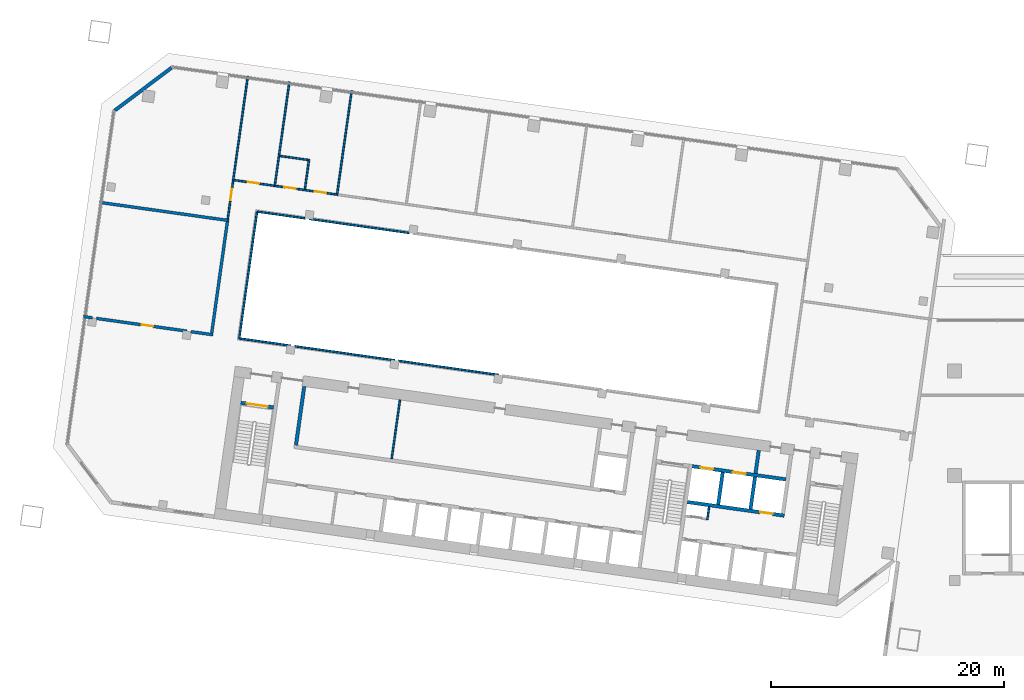
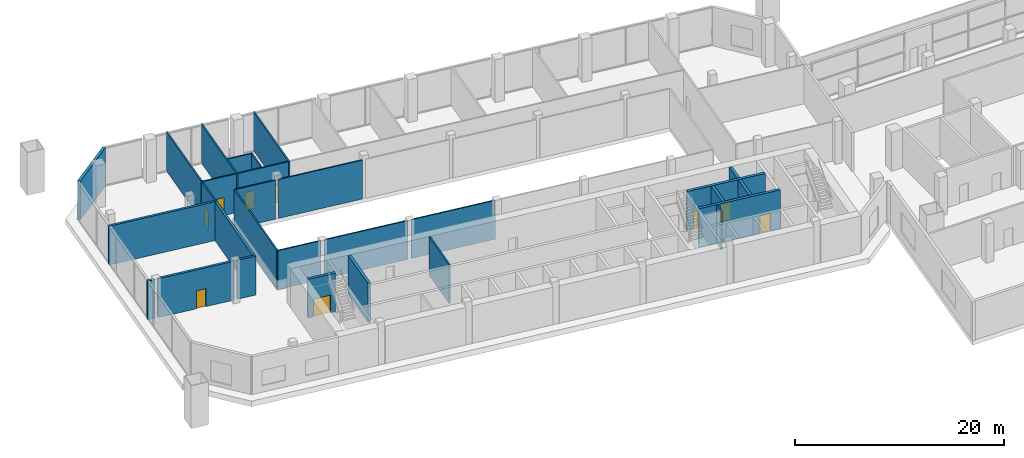
# One storey, part 11 of 21: 29 walls, 9 doors, 9 openings.
"""IFC4 building model written with IfcOpenShell, lengths in metres."""

from ifc_helpers import new_model, si_unit, direction, frame, frame_2d, origin, place, context, subcontext, project, spatial, rectangle, extrude, material, layer, layer_set, type_object, element, fill, save


model = new_model("IFC4")

# Units and contexts
model_context = context("Model", 3, precision=1e-05, world=origin(), true_north=direction((0.0, 1.0)))
body_context = subcontext(model_context, "Body", "Model", "MODEL_VIEW")
ifc_project = project(units=[si_unit("LENGTHUNIT", "METRE"), si_unit("AREAUNIT", "SQUARE_METRE"), si_unit("VOLUMEUNIT", "CUBIC_METRE"), si_unit("PLANEANGLEUNIT", "RADIAN"), si_unit("MASSUNIT", "GRAM", prefix="KILO")], contexts=[model_context])

# Site, building, storey
site_placement = place(None, origin())
site = spatial("IfcSite", under=ifc_project, at=site_placement, CompositionType="ELEMENT")
building_placement = place(site_placement, origin())
building = spatial("IfcBuilding", under=site, at=building_placement, Name="Mirante Cascada Hotel Towers", CompositionType="ELEMENT")
storey_placement = place(building_placement, frame((0.0, 0.0, 34.5)))
storey = spatial("IfcBuildingStorey", under=building, at=storey_placement, Name="L05", CompositionType="ELEMENT", Elevation=34.5)

# Walls
ifc_material_1 = material(Name="Masonry block", Category="masonry")
ifc_layer_1 = layer(ifc_material_1, 0.15)
ifc_layer_set_1 = layer_set([ifc_layer_1], Name="Core room partition 150 block EI 30")
wall_type_1 = type_object("IfcWallType", Name="Core room partition 150 block EI 30", PredefinedType="PARTITIONING", material=ifc_layer_set_1)
wall_1_placement = place(storey_placement, frame((-48.2295, -12.793, 0.0), z_axis=(0.0, 0.0, 1.0), x_axis=(0.1391935, 0.9902652, 0.0)))
element("IfcWall", 1, at=wall_1_placement, inside=storey, type_object=wall_type_1, Name="Core wall partition T1 L05 2", PredefinedType="PARTITIONING", context=body_context, shape_type="SweptSolid", body=[
    extrude(rectangle(XDim=1.1251, YDim=0.15, at=frame_2d((0.5626, 0.0))), origin(), (0.0, 0.0, 1.0), 4.55),
])
wall_2_placement = place(storey_placement, frame((-75.3131, -7.5476, 0.0), z_axis=(0.0, 0.0, 1.0), x_axis=(0.1391782, 0.9902673, 0.0)))
element("IfcWall", 2, at=wall_2_placement, inside=storey, type_object=wall_type_1, Name="Core wall partition T1 L05 5", PredefinedType="PARTITIONING", context=body_context, shape_type="SweptSolid", body=[
    extrude(rectangle(XDim=5.0999, YDim=0.15, at=frame_2d((2.55, 0.0))), origin(), (0.0, 0.0, 1.0), 4.55),
])
ifc_material_2 = material(Name="Masonry block", Category="masonry")
ifc_layer_2 = layer(ifc_material_2, 0.3)
ifc_layer_set_2 = layer_set([ifc_layer_2], Name="Core wall 300 block EI 120")
wall_type_2 = type_object("IfcWallType", Name="Core wall 300 block EI 120", PredefinedType="PARTITIONING", material=ifc_layer_set_2)
wall_3_placement = place(storey_placement, frame((-44.0843, -8.8061, 0.0), z_axis=(0.0, 0.0, 1.0), x_axis=(0.1391951, 0.990265, 0.0)))
element("IfcWall", 3, at=wall_3_placement, inside=storey, type_object=wall_type_2, Name="Core wall partition T1 L05 1", PredefinedType="PARTITIONING", context=body_context, shape_type="SweptSolid", body=[
    extrude(rectangle(XDim=2.0001, YDim=0.3, at=frame_2d((1.0001, 0.0))), origin(), (0.0, 0.0, 1.0), 4.55),
])
ifc_material_3 = material(Name="Masonry block", Category="masonry")
ifc_layer_3 = layer(ifc_material_3, 0.15)
ifc_layer_set_3 = layer_set([ifc_layer_3], Name="Corridor wall 150 block")
wall_type_3 = type_object("IfcWallType", Name="Corridor wall 150 block", PredefinedType="PARTITIONING", material=ifc_layer_set_3)
wall_4_placement = place(storey_placement, frame((-88.3742, 2.7705, 0.0), z_axis=(0.0, 0.0, 1.0), x_axis=(0.9902682, -0.1391725, 0.0)))
element("IfcWall", 4, at=wall_4_placement, inside=storey, type_object=wall_type_3, Name="Corridor wall T1 L05", PredefinedType="PARTITIONING", context=body_context, shape_type="SweptSolid", body=[
    extrude(rectangle(XDim=4.4456, YDim=0.15, at=frame_2d((2.2228, 0.0))), origin(), (0.0, 0.0, 1.0), 4.55),
])
wall_5_placement = place(storey_placement, frame((-86.8433, 13.6635, 0.0), z_axis=(0.0, 0.0, 1.0), x_axis=(0.9902672, -0.1391794, 0.0)))
element("IfcWall", 5, at=wall_5_placement, inside=storey, type_object=wall_type_3, Name="Corridor wall T1 L05", PredefinedType="PARTITIONING", context=body_context, shape_type="SweptSolid", body=[
    extrude(rectangle(XDim=4.1658, YDim=0.15, at=frame_2d((2.0829, 0.0))), origin(), (0.0, 0.0, 1.0), 4.55),
])

# Wall, opening, door
wall_6_placement = place(storey_placement, frame((-88.9899, 16.3888, 0.0), z_axis=(0.0, 0.0, 1.0), x_axis=(0.990265, -0.139195, 0.0)))
wall_6 = element("IfcWall", 6, at=wall_6_placement, inside=storey, type_object=wall_type_3, Name="Corridor wall T1 L05", PredefinedType="PARTITIONING", context=body_context, shape_type="SweptSolid", body=[
    extrude(rectangle(XDim=3.61, YDim=0.15, at=frame_2d((1.805, 0.0))), origin(), (0.0, 0.0, 1.0), 4.55),
])
opening_1_placement = place(wall_6_placement, frame((1.3425, 0.0, 0.0)))
opening_1 = element("IfcOpeningElement", 7, at=opening_1_placement, cuts=wall_6, Name="Opening DP1-L05-11", PredefinedType="OPENING", context=body_context, shape_type="SweptSolid", body=[
    extrude(rectangle(XDim=1.0, YDim=2.1, at=frame_2d((0.5, 1.05))), frame((0.0, 0.075, 0.0), z_axis=(0.0, -1.0, 0.0), x_axis=(1.0, 0.0, 0.0)), (0.0, 0.0, 1.0), 0.15),
])
ifc_material_4 = material(Name="Timber door leaf", Category="wood")
door_type_1 = type_object("IfcDoorType", Name="Single door 1000x2100", OperationType="NOTDEFINED", PredefinedType="DOOR", material=ifc_material_4)
door_1_placement = place(opening_1_placement, origin())
door_1 = element("IfcDoor", 8, at=door_1_placement, inside=storey, type_object=door_type_1, Name="Door DP1-L05-11", OperationType="SINGLE_SWING_LEFT", OverallHeight=2.1, OverallWidth=1.0, PredefinedType="DOOR", context=body_context, shape_type="SweptSolid", body=[
    extrude(rectangle(XDim=1.0, YDim=2.1, at=frame_2d((0.5, 1.05))), frame((0.0, 0.025, 0.0), z_axis=(0.0, -1.0, 0.0), x_axis=(1.0, 0.0, 0.0)), (0.0, 0.0, 1.0), 0.05),
])
fill(opening_1, door_1)

# Wall
wall_7_placement = place(storey_placement, frame((-88.3997, 2.8044, 0.0), z_axis=(0.0, 0.0, 1.0), x_axis=(0.1391764, 0.9902676, 0.0)))
element("IfcWall", 9, at=wall_7_placement, inside=storey, type_object=wall_type_3, Name="Corridor wall T1 L05", PredefinedType="PARTITIONING", context=body_context, shape_type="SweptSolid", body=[
    extrude(rectangle(XDim=10.9401, YDim=0.15, at=frame_2d((5.47, 0.0))), origin(), (0.0, 0.0, 1.0), 4.55),
])

# Wall, opening, door
wall_8_placement = place(storey_placement, frame((-89.3867, 13.0263, 0.0), z_axis=(0.0, 0.0, 1.0), x_axis=(0.1391835, 0.9902666, 0.0)))
wall_8 = element("IfcWall", 10, at=wall_8_placement, inside=storey, type_object=wall_type_3, Name="Corridor wall T1 L05", PredefinedType="PARTITIONING", context=body_context, shape_type="SweptSolid", body=[
    extrude(rectangle(XDim=3.31, YDim=0.15, at=frame_2d((1.655, 0.0))), origin(), (0.0, 0.0, 1.0), 4.55),
])
opening_2_placement = place(wall_8_placement, frame((1.6425, 0.0, 0.0)))
opening_2 = element("IfcOpeningElement", 11, at=opening_2_placement, cuts=wall_8, Name="Opening DP1-L05-04", PredefinedType="OPENING", context=body_context, shape_type="SweptSolid", body=[
    extrude(rectangle(XDim=1.0, YDim=2.1, at=frame_2d((0.5, 1.05))), frame((0.0, 0.075, 0.0), z_axis=(0.0, -1.0, 0.0), x_axis=(1.0, 0.0, 0.0)), (0.0, 0.0, 1.0), 0.15),
])
door_2_placement = place(opening_2_placement, origin())
door_2 = element("IfcDoor", 12, at=door_2_placement, inside=storey, type_object=door_type_1, Name="Door DP1-L05-04", OperationType="SINGLE_SWING_RIGHT", OverallHeight=2.1, OverallWidth=1.0, PredefinedType="DOOR", context=body_context, shape_type="SweptSolid", body=[
    extrude(rectangle(XDim=1.0, YDim=2.1, at=frame_2d((0.5, 1.05))), frame((0.0, 0.025, 0.0), z_axis=(0.0, -1.0, 0.0), x_axis=(1.0, 0.0, 0.0)), (0.0, 0.0, 1.0), 0.05),
])
fill(opening_2, door_2)

# Walls
for number, where, z_axis, x_axis, name in (
    (13, (-83.6464, 2.1061, 0.0), (0.0, 0.0, 1.0), (0.9902682, -0.139172, 0.0), "Corridor wall T1 L05"),
    (14, (-74.734, 0.8535, 0.0), (0.0, 0.0, 1.0), (0.9902682, -0.139172, 0.0), "Corridor wall T1 L05"),
    (15, (-82.3925, 13.038, 0.0), (0.0, 0.0, 1.0), (0.9902682, -0.139172, 0.0), "Corridor wall T1 L05"),
):
    element("IfcWall", number, at=place(storey_placement, frame(where, z_axis=z_axis, x_axis=x_axis)), inside=storey, type_object=wall_type_3, Name=name, PredefinedType="PARTITIONING", context=body_context, shape_type="SweptSolid", body=[
        extrude(rectangle(XDim=8.6713, YDim=0.15, at=frame_2d((4.3356, 0.0))), origin(), (0.0, 0.0, 1.0), 4.55),
    ])
ifc_material_5 = material(Name="Masonry block", Category="masonry")
ifc_layer_4 = layer(ifc_material_5, 0.15)
ifc_layer_set_4 = layer_set([ifc_layer_4], Name="Partition 150 block")
wall_type_4 = type_object("IfcWallType", Name="Partition 150 block", PredefinedType="PARTITIONING", material=ifc_layer_set_4)
wall_9_placement = place(storey_placement, frame((-88.9065, 16.4427, 0.0), z_axis=(0.0, 0.0, 1.0), x_axis=(0.1391725, 0.9902682, 0.0)))
element("IfcWall", 16, at=wall_9_placement, inside=storey, type_object=wall_type_4, Name="Partition T1 L05", PredefinedType="PARTITIONING", context=body_context, shape_type="SweptSolid", body=[
    extrude(rectangle(XDim=8.935, YDim=0.15, at=frame_2d((4.4675, 0.0))), origin(), (0.0, 0.0, 1.0), 4.55),
])
ifc_material_6 = material(Name="Masonry block", Category="masonry")
ifc_layer_5 = layer(ifc_material_6, 0.25)
ifc_layer_set_5 = layer_set([ifc_layer_5], Name="Plant room wall 250 block EI 120")
wall_type_5 = type_object("IfcWallType", Name="Plant room wall 250 block EI 120", PredefinedType="PARTITIONING", material=ifc_layer_set_5)
wall_10_placement = place(storey_placement, frame((-101.7725, 4.6536, 0.0), z_axis=(0.0, 0.0, 1.0), x_axis=(0.9902566, -0.1392548, 0.0)))
element("IfcWall", 17, at=wall_10_placement, inside=storey, type_object=wall_type_5, Name="Plant room wall T1 L05", PredefinedType="PARTITIONING", context=body_context, shape_type="SweptSolid", body=[
    extrude(rectangle(XDim=0.7756, YDim=0.25, at=frame_2d((0.3878, 0.0))), origin(), (0.0, 0.0, 1.0), 4.55),
])
wall_11_placement = place(storey_placement, frame((-100.3947, 14.4572, 0.0), z_axis=(0.0, 0.0, 1.0), x_axis=(0.9902684, -0.139171, 0.0)))
element("IfcWall", 18, at=wall_11_placement, inside=storey, type_object=wall_type_5, Name="Plant room wall T1 L05", PredefinedType="PARTITIONING", context=body_context, shape_type="SweptSolid", body=[
    extrude(rectangle(XDim=11.225, YDim=0.25, at=frame_2d((5.6125, 0.0))), origin(), (0.0, 0.0, 1.0), 4.55),
])
wall_12_placement = place(storey_placement, frame((-90.7631, 3.2325, 0.0), z_axis=(0.0, 0.0, 1.0), x_axis=(0.1391717, 0.9902683, 0.0)))
element("IfcWall", 19, at=wall_12_placement, inside=storey, type_object=wall_type_5, Name="Plant room wall T1 L05", PredefinedType="PARTITIONING", context=body_context, shape_type="SweptSolid", body=[
    extrude(rectangle(XDim=9.66, YDim=0.25, at=frame_2d((4.83, 0.0))), origin(), (0.0, 0.0, 1.0), 4.55),
])

# Wall, opening, door
wall_13_placement = place(storey_placement, frame((-100.679, 4.4999, 0.0), z_axis=(0.0, 0.0, 1.0), x_axis=(0.9902671, -0.1391799, 0.0)))
wall_13 = element("IfcWall", 20, at=wall_13_placement, inside=storey, type_object=wall_type_5, Name="Plant room wall T1 L05", PredefinedType="PARTITIONING", context=body_context, shape_type="SweptSolid", body=[
    extrude(rectangle(XDim=7.8711, YDim=0.25, at=frame_2d((3.9356, 0.0))), origin(), (0.0, 0.0, 1.0), 4.55),
])
opening_3_placement = place(wall_13_placement, frame((3.9457, 0.0, 0.0)))
opening_3 = element("IfcOpeningElement", 21, at=opening_3_placement, cuts=wall_13, Name="Opening DP1-L05-03", PredefinedType="OPENING", context=body_context, shape_type="SweptSolid", body=[
    extrude(rectangle(XDim=1.0, YDim=2.1, at=frame_2d((0.5, 1.05))), frame((0.0, 0.125, 0.0), z_axis=(0.0, -1.0, 0.0), x_axis=(1.0, 0.0, 0.0)), (0.0, 0.0, 1.0), 0.25),
])
ifc_material_7 = material(Name="Hollow metal fire door leaf")
door_type_2 = type_object("IfcDoorType", Name="Fire door 1000x2100 FD60", OperationType="NOTDEFINED", PredefinedType="DOOR", material=ifc_material_7)
door_3_placement = place(opening_3_placement, origin())
door_3 = element("IfcDoor", 22, at=door_3_placement, inside=storey, type_object=door_type_2, Name="Door DP1-L05-03", OperationType="SINGLE_SWING_LEFT", OverallHeight=2.1, OverallWidth=1.0, PredefinedType="DOOR", context=body_context, shape_type="SweptSolid", body=[
    extrude(rectangle(XDim=1.0, YDim=2.1, at=frame_2d((0.5, 1.05))), frame((0.0, 0.025, 0.0), z_axis=(0.0, -1.0, 0.0), x_axis=(1.0, 0.0, 0.0)), (0.0, 0.0, 1.0), 0.05),
])
fill(opening_3, door_3)

# Walls
wall_14_placement = place(storey_placement, frame((-92.5588, 3.3586, 0.0), z_axis=(0.0, 0.0, 1.0), x_axis=(0.9902691, -0.139166, 0.0)))
element("IfcWall", 23, at=wall_14_placement, inside=storey, type_object=wall_type_5, Name="Plant room wall T1 L05", PredefinedType="PARTITIONING", context=body_context, shape_type="SweptSolid", body=[
    extrude(rectangle(XDim=1.9308, YDim=0.25, at=frame_2d((0.9654, 0.0))), origin(), (0.0, 0.0, 1.0), 4.55),
])
ifc_material_8 = material(Name="Precast concrete C40/50", Category="concrete")
ifc_layer_6 = layer(ifc_material_8, 0.3)
ifc_layer_set_6 = layer_set([ifc_layer_6], Name="Precast concrete C40/50 cladding wall 300")
wall_type_6 = type_object("IfcWallType", Name="Precast concrete C40/50 cladding wall 300", PredefinedType="STANDARD", material=ifc_layer_set_6)
wall_15_placement = place(storey_placement, frame((-99.0919, 22.3343, 0.0), z_axis=(0.0, 0.0, 1.0), x_axis=(0.7986362, 0.6018141, 0.0)))
element("IfcWall", 24, at=wall_15_placement, inside=storey, type_object=wall_type_6, Name="Corner cladding wall T1 L05 outer front", PredefinedType="STANDARD", context=body_context, shape_type="SweptSolid", body=[
    extrude(rectangle(XDim=6.1157, YDim=0.3, at=frame_2d((3.0578, 0.0))), origin(), (0.0, 0.0, 1.0), 4.55),
])

# Wall, opening, door
ifc_material_9 = material(Name="Concrete C50/60", Category="concrete")
ifc_layer_7 = layer(ifc_material_9, 0.3)
ifc_layer_set_7 = layer_set([ifc_layer_7], Name="RC core wall 300 C50/60")
wall_type_7 = type_object("IfcWallType", Name="RC core wall 300 C50/60", PredefinedType="SHEAR", material=ifc_layer_set_7)
wall_16_placement = place(storey_placement, frame((-85.4489, -3.1441, 0.0), z_axis=(0.0, 0.0, 1.0), x_axis=(-0.9902697, 0.1391613, 0.0)))
wall_16 = element("IfcWall", 25, at=wall_16_placement, inside=storey, type_object=wall_type_7, Name="Core wall T1:L05:11", PredefinedType="SHEAR", context=body_context, shape_type="SweptSolid", body=[
    extrude(rectangle(XDim=2.8499, YDim=0.3, at=frame_2d((1.425, 0.0))), origin(), (0.0, 0.0, 1.0), 4.55),
])
opening_4_placement = place(wall_16_placement, frame((0.525, 0.0, 0.0)))
opening_4 = element("IfcOpeningElement", 26, at=opening_4_placement, cuts=wall_16, Name="Opening D1-05-C20", PredefinedType="OPENING", context=body_context, shape_type="SweptSolid", body=[
    extrude(rectangle(XDim=1.8, YDim=2.1, at=frame_2d((0.9, 1.05))), frame((0.0, 0.15, 0.0), z_axis=(0.0, -1.0, 0.0), x_axis=(1.0, 0.0, 0.0)), (0.0, 0.0, 1.0), 0.3),
])
ifc_material_10 = material(Name="Hollow metal fire door leaf")
door_type_3 = type_object("IfcDoorType", Name="Double fire door 1800x2100 FD60", OperationType="DOUBLE_DOOR_SINGLE_SWING", PredefinedType="DOOR", material=ifc_material_10)
door_4_placement = place(opening_4_placement, origin())
door_4 = element("IfcDoor", 27, at=door_4_placement, inside=storey, type_object=door_type_3, Name="Stair door T1 L05 20", OperationType="DOUBLE_DOOR_SINGLE_SWING", OverallHeight=2.1, OverallWidth=1.8, PredefinedType="DOOR", context=body_context, shape_type="SweptSolid", body=[
    extrude(rectangle(XDim=0.895, YDim=2.1, at=frame_2d((0.4475, 1.05))), frame((0.0, 0.025, 0.0), z_axis=(0.0, -1.0, 0.0), x_axis=(1.0, 0.0, 0.0)), (0.0, 0.0, 1.0), 0.05),
    extrude(rectangle(XDim=0.895, YDim=2.1, at=frame_2d((1.3525, 1.05))), frame((0.0, 0.025, 0.0), z_axis=(0.0, -1.0, 0.0), x_axis=(1.0, 0.0, 0.0)), (0.0, 0.0, 1.0), 0.05),
])
fill(opening_4, door_4)

wall_17_placement = place(storey_placement, frame((-41.6153, -12.435, 0.0), z_axis=(0.0, 0.0, 1.0), x_axis=(-0.9902691, 0.139166, 0.0)))
wall_17 = element("IfcWall", 28, at=wall_17_placement, inside=storey, type_object=wall_type_7, Name="Core wall T1:L05:13", PredefinedType="SHEAR", context=body_context, shape_type="SweptSolid", body=[
    extrude(rectangle(XDim=8.4, YDim=0.3, at=frame_2d((4.2, 0.0))), origin(), (0.0, 0.0, 1.0), 4.55),
])
opening_5_placement = place(wall_17_placement, frame((1.0, 0.0, 0.0)))
opening_5 = element("IfcOpeningElement", 29, at=opening_5_placement, cuts=wall_17, Name="Opening LD", PredefinedType="OPENING", context=body_context, shape_type="SweptSolid", body=[
    extrude(rectangle(XDim=1.1, YDim=2.1, at=frame_2d((0.55, 1.05))), frame((0.0, 0.15, 0.0), z_axis=(0.0, -1.0, 0.0), x_axis=(1.0, 0.0, 0.0)), (0.0, 0.0, 1.0), 0.3),
])
ifc_material_11 = material(Name="Stainless steel", Category="steel")
door_type_4 = type_object("IfcDoorType", Name="Lift landing door 1100x2100 EI 120", OperationType="DOUBLE_DOOR_SLIDING", PredefinedType="DOOR", material=ifc_material_11)
door_5_placement = place(opening_5_placement, origin())
door_5 = element("IfcDoor", 30, at=door_5_placement, inside=storey, type_object=door_type_4, Name="Lift landing door HR1-4 L05", OperationType="DOUBLE_DOOR_SLIDING", OverallHeight=2.1, OverallWidth=1.1, PredefinedType="DOOR", context=body_context, shape_type="SweptSolid", body=[
    extrude(rectangle(XDim=0.545, YDim=2.1, at=frame_2d((0.2725, 1.05))), frame((0.0, 0.025, 0.0), z_axis=(0.0, -1.0, 0.0), x_axis=(1.0, 0.0, 0.0)), (0.0, 0.0, 1.0), 0.05),
    extrude(rectangle(XDim=0.545, YDim=2.1, at=frame_2d((0.8275, 1.05))), frame((0.0, 0.025, 0.0), z_axis=(0.0, -1.0, 0.0), x_axis=(1.0, 0.0, 0.0)), (0.0, 0.0, 1.0), 0.05),
])
fill(opening_5, door_5)

# Wall, openings, doors
wall_18_placement = place(storey_placement, frame((-41.481, -9.3234, 0.0), z_axis=(0.0, 0.0, 1.0), x_axis=(-0.9902679, 0.1391741, 0.0)))
wall_18 = element("IfcWall", 31, at=wall_18_placement, inside=storey, type_object=wall_type_7, Name="Core wall T1:L05:14", PredefinedType="SHEAR", context=body_context, shape_type="SweptSolid", body=[
    extrude(rectangle(XDim=8.0999, YDim=0.3, at=frame_2d((4.05, 0.0))), origin(), (0.0, 0.0, 1.0), 4.55),
])
opening_6_placement = place(wall_18_placement, frame((3.5, 0.0, 0.0)))
opening_6 = element("IfcOpeningElement", 32, at=opening_6_placement, cuts=wall_18, Name="Opening LD", PredefinedType="OPENING", context=body_context, shape_type="SweptSolid", body=[
    extrude(rectangle(XDim=1.1, YDim=2.1, at=frame_2d((0.55, 1.05))), frame((0.0, 0.15, 0.0), z_axis=(0.0, -1.0, 0.0), x_axis=(1.0, 0.0, 0.0)), (0.0, 0.0, 1.0), 0.3),
])
opening_7_placement = place(wall_18_placement, frame((6.3, 0.0, 0.0)))
opening_7 = element("IfcOpeningElement", 33, at=opening_7_placement, cuts=wall_18, Name="Opening LD", PredefinedType="OPENING", context=body_context, shape_type="SweptSolid", body=[
    extrude(rectangle(XDim=1.1, YDim=2.1, at=frame_2d((0.55, 1.05))), frame((0.0, 0.15, 0.0), z_axis=(0.0, -1.0, 0.0), x_axis=(1.0, 0.0, 0.0)), (0.0, 0.0, 1.0), 0.3),
])
door_6_placement = place(opening_6_placement, origin())
door_6 = element("IfcDoor", 34, at=door_6_placement, inside=storey, type_object=door_type_4, Name="Lift landing door FF1 L05", OperationType="DOUBLE_DOOR_SLIDING", OverallHeight=2.1, OverallWidth=1.1, PredefinedType="DOOR", context=body_context, shape_type="SweptSolid", body=[
    extrude(rectangle(XDim=0.545, YDim=2.1, at=frame_2d((0.2725, 1.05))), frame((0.0, 0.025, 0.0), z_axis=(0.0, -1.0, 0.0), x_axis=(1.0, 0.0, 0.0)), (0.0, 0.0, 1.0), 0.05),
    extrude(rectangle(XDim=0.545, YDim=2.1, at=frame_2d((0.8275, 1.05))), frame((0.0, 0.025, 0.0), z_axis=(0.0, -1.0, 0.0), x_axis=(1.0, 0.0, 0.0)), (0.0, 0.0, 1.0), 0.05),
])
fill(opening_6, door_6)
door_7_placement = place(opening_7_placement, origin())
door_7 = element("IfcDoor", 35, at=door_7_placement, inside=storey, type_object=door_type_4, Name="Lift landing door FF2 L05", OperationType="DOUBLE_DOOR_SLIDING", OverallHeight=2.1, OverallWidth=1.1, PredefinedType="DOOR", context=body_context, shape_type="SweptSolid", body=[
    extrude(rectangle(XDim=0.545, YDim=2.1, at=frame_2d((0.2725, 1.05))), frame((0.0, 0.025, 0.0), z_axis=(0.0, -1.0, 0.0), x_axis=(1.0, 0.0, 0.0)), (0.0, 0.0, 1.0), 0.05),
    extrude(rectangle(XDim=0.545, YDim=2.1, at=frame_2d((0.8275, 1.05))), frame((0.0, 0.025, 0.0), z_axis=(0.0, -1.0, 0.0), x_axis=(1.0, 0.0, 0.0)), (0.0, 0.0, 1.0), 0.05),
])
fill(opening_7, door_7)

# Walls
for number, where, z_axis, x_axis, name in (
    (36, (-44.5157, -11.8759, 0.0), (0.0, 0.0, 1.0), (0.139181, 0.990267, 0.0), "Core wall T1:L05:18"),
    (37, (-47.2885, -11.4862, 0.0), (0.0, 0.0, 1.0), (0.139181, 0.990267, 0.0), "Core wall T1:L05:19"),
):
    element("IfcWall", number, at=place(storey_placement, frame(where, z_axis=z_axis, x_axis=x_axis)), inside=storey, type_object=wall_type_7, Name=name, PredefinedType="SHEAR", context=body_context, shape_type="SweptSolid", body=[
        extrude(rectangle(XDim=2.8, YDim=0.3, at=frame_2d((1.4, 0.0))), origin(), (0.0, 0.0, 1.0), 4.55),
    ])
wall_19_placement = place(storey_placement, frame((-83.5323, -6.3925, 0.0), z_axis=(0.0, 0.0, 1.0), x_axis=(0.1391755, 0.9902677, 0.0)))
element("IfcWall", 38, at=wall_19_placement, inside=storey, type_object=wall_type_7, Name="Core wall T1:L05:36", PredefinedType="SHEAR", context=body_context, shape_type="SweptSolid", body=[
    extrude(rectangle(XDim=5.1, YDim=0.3, at=frame_2d((2.55, 0.0))), origin(), (0.0, 0.0, 1.0), 4.55),
])

# Wall, openings, doors
ifc_material_12 = material(Name="Masonry block", Category="masonry")
ifc_layer_8 = layer(ifc_material_12, 0.15)
ifc_layer_set_8 = layer_set([ifc_layer_8], Name="Wet room wall 150 block")
wall_type_8 = type_object("IfcWallType", Name="Wet room wall 150 block", PredefinedType="PARTITIONING", material=ifc_layer_set_8)
wall_20_placement = place(storey_placement, frame((-85.2863, 15.8683, 0.0), z_axis=(0.0, 0.0, 1.0), x_axis=(0.9902669, -0.1391816, 0.0)))
wall_20 = element("IfcWall", 39, at=wall_20_placement, inside=storey, type_object=wall_type_8, Name="Wet room wall T1 L05", PredefinedType="PARTITIONING", context=body_context, shape_type="SweptSolid", body=[
    extrude(rectangle(XDim=5.2701, YDim=0.15, at=frame_2d((2.635, 0.0))), origin(), (0.0, 0.0, 1.0), 4.55),
])
opening_8_placement = place(wall_20_placement, frame((3.4026, 0.0, 0.0)))
opening_8 = element("IfcOpeningElement", 40, at=opening_8_placement, cuts=wall_20, Name="Opening DP1-L05-10", PredefinedType="OPENING", context=body_context, shape_type="SweptSolid", body=[
    extrude(rectangle(XDim=1.0, YDim=2.1, at=frame_2d((0.5, 1.05))), frame((0.0, 0.075, 0.0), z_axis=(0.0, -1.0, 0.0), x_axis=(1.0, 0.0, 0.0)), (0.0, 0.0, 1.0), 0.15),
])
opening_9_placement = place(wall_20_placement, frame((0.7675, 0.0, 0.0)))
opening_9 = element("IfcOpeningElement", 41, at=opening_9_placement, cuts=wall_20, Name="Opening DP1-L05-12", PredefinedType="OPENING", context=body_context, shape_type="SweptSolid", body=[
    extrude(rectangle(XDim=1.0, YDim=2.1, at=frame_2d((0.5, 1.05))), frame((0.0, 0.075, 0.0), z_axis=(0.0, -1.0, 0.0), x_axis=(1.0, 0.0, 0.0)), (0.0, 0.0, 1.0), 0.15),
])
door_8_placement = place(opening_8_placement, origin())
door_8 = element("IfcDoor", 42, at=door_8_placement, inside=storey, type_object=door_type_1, Name="Door DP1-L05-10", OperationType="SINGLE_SWING_RIGHT", OverallHeight=2.1, OverallWidth=1.0, PredefinedType="DOOR", context=body_context, shape_type="SweptSolid", body=[
    extrude(rectangle(XDim=1.0, YDim=2.1, at=frame_2d((0.5, 1.05))), frame((0.0, 0.025, 0.0), z_axis=(0.0, -1.0, 0.0), x_axis=(1.0, 0.0, 0.0)), (0.0, 0.0, 1.0), 0.05),
])
fill(opening_8, door_8)
door_9_placement = place(opening_9_placement, origin())
door_9 = element("IfcDoor", 43, at=door_9_placement, inside=storey, type_object=door_type_1, Name="Door DP1-L05-12", OperationType="SINGLE_SWING_RIGHT", OverallHeight=2.1, OverallWidth=1.0, PredefinedType="DOOR", context=body_context, shape_type="SweptSolid", body=[
    extrude(rectangle(XDim=1.0, YDim=2.1, at=frame_2d((0.5, 1.05))), frame((0.0, 0.025, 0.0), z_axis=(0.0, -1.0, 0.0), x_axis=(1.0, 0.0, 0.0)), (0.0, 0.0, 1.0), 0.05),
])
fill(opening_9, door_9)

# Walls
wall_21_placement = place(storey_placement, frame((-84.9145, 18.4416, 0.0), z_axis=(0.0, 0.0, 1.0), x_axis=(0.9902662, -0.1391867, 0.0)))
element("IfcWall", 44, at=wall_21_placement, inside=storey, type_object=wall_type_8, Name="Wet room wall T1 L05", PredefinedType="PARTITIONING", context=body_context, shape_type="SweptSolid", body=[
    extrude(rectangle(XDim=2.4499, YDim=0.15, at=frame_2d((1.225, 0.0))), origin(), (0.0, 0.0, 1.0), 4.55),
])
wall_22_placement = place(storey_placement, frame((-80.0136, 15.0515, 0.0), z_axis=(0.0, 0.0, 1.0), x_axis=(0.1391733, 0.990268, 0.0)))
element("IfcWall", 45, at=wall_22_placement, inside=storey, type_object=wall_type_8, Name="Wet room wall T1 L05", PredefinedType="PARTITIONING", context=body_context, shape_type="SweptSolid", body=[
    extrude(rectangle(XDim=9.075, YDim=0.15, at=frame_2d((4.5375, 0.0))), origin(), (0.0, 0.0, 1.0), 4.55),
])
wall_23_placement = place(storey_placement, frame((-82.7655, 15.5897, 0.0), z_axis=(0.0, 0.0, 1.0), x_axis=(0.1391918, 0.9902654, 0.0)))
element("IfcWall", 46, at=wall_23_placement, inside=storey, type_object=wall_type_8, Name="Wet room wall T1 L05", PredefinedType="PARTITIONING", context=body_context, shape_type="SweptSolid", body=[
    extrude(rectangle(XDim=2.6, YDim=0.15, at=frame_2d((1.3, 0.0))), origin(), (0.0, 0.0, 1.0), 4.55),
])
wall_24_placement = place(storey_placement, frame((-85.3611, 15.803, 0.0), z_axis=(0.0, 0.0, 1.0), x_axis=(0.1391733, 0.990268, 0.0)))
element("IfcWall", 47, at=wall_24_placement, inside=storey, type_object=wall_type_8, Name="Wet room wall T1 L05", PredefinedType="PARTITIONING", context=body_context, shape_type="SweptSolid", body=[
    extrude(rectangle(XDim=9.075, YDim=0.15, at=frame_2d((4.5375, 0.0))), origin(), (0.0, 0.0, 1.0), 4.55),
])

save(model, "model.ifc")
